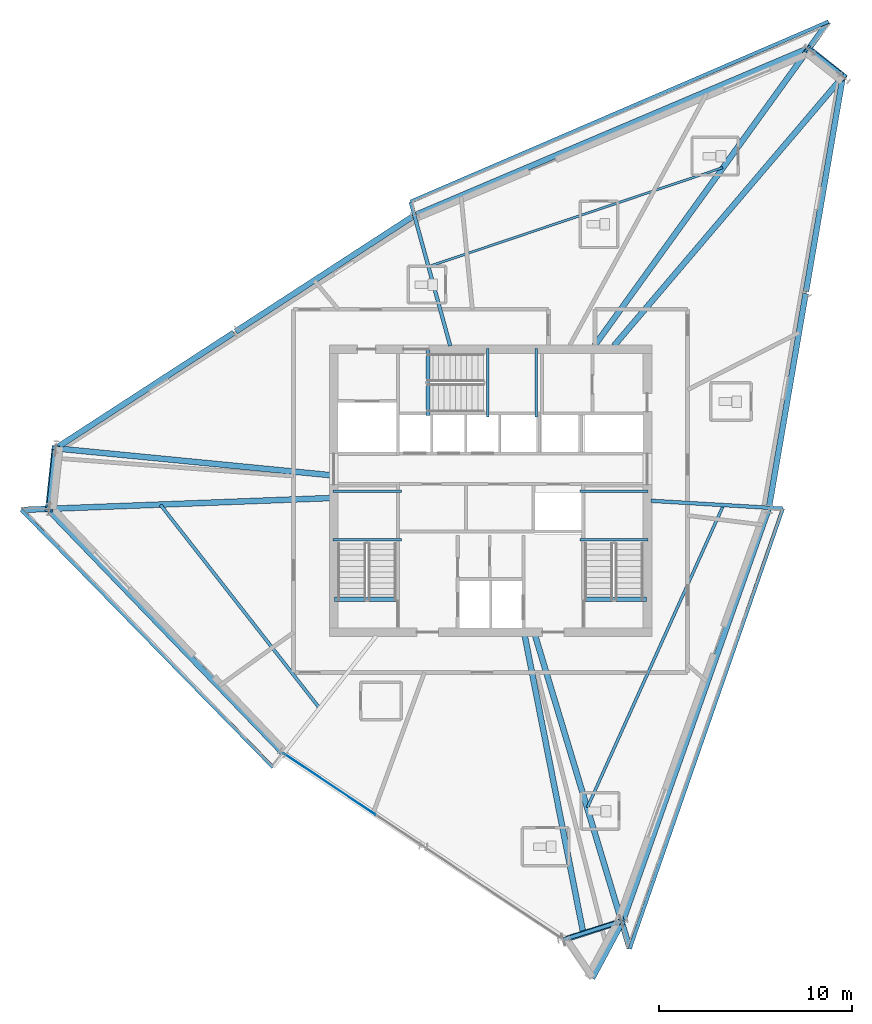
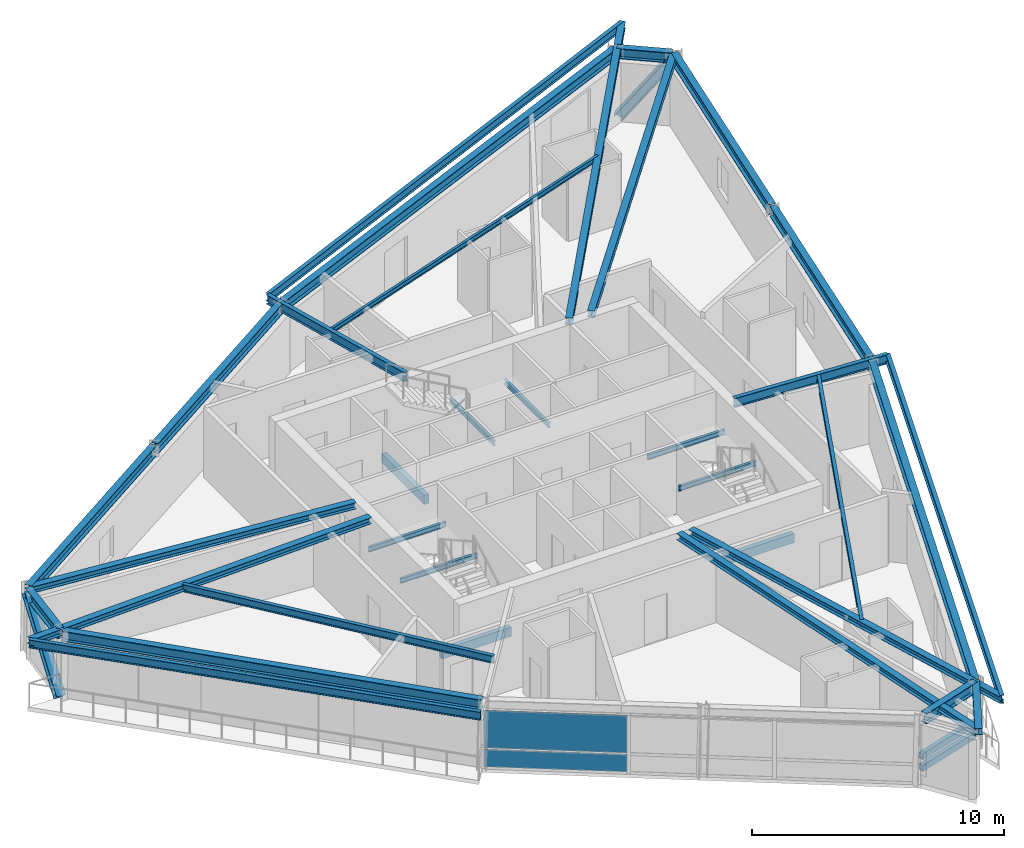
# One storey, part 4 of 15: 34 beams, 4 members, 2 plates, 1 element without a shape of its own.
"""IFC4 building model written with IfcOpenShell, lengths in metres."""

from ifc_helpers import new_model, si_unit, direction, frame, origin, origin_2d, place, context, subcontext, project, spatial, rectangle, hollow_rectangle, i_section, extrude, source, transform, mapped, material, material_profile, profile_set, type_object, element, aggregate, save


model = new_model("IFC4")

# Units and contexts
model_context = context("Model", 3, precision=1e-05, world=origin(), true_north=direction((0.0, 1.0)))
body_context = subcontext(model_context, "Body", "Model", "MODEL_VIEW")
ifc_project = project(units=[si_unit("LENGTHUNIT", "METRE"), si_unit("AREAUNIT", "SQUARE_METRE"), si_unit("VOLUMEUNIT", "CUBIC_METRE"), si_unit("PLANEANGLEUNIT", "RADIAN"), si_unit("MASSUNIT", "GRAM", prefix="KILO")], contexts=[model_context])

# Site, building, storey
site_placement = place(None, origin())
site = spatial("IfcSite", under=ifc_project, at=site_placement, CompositionType="ELEMENT")
building_placement = place(site_placement, origin())
building = spatial("IfcBuilding", under=site, at=building_placement, Name="Olszyna Solenne Hotel", CompositionType="ELEMENT")
storey_placement = place(building_placement, frame((0.0, 0.0, 245.300048828125)))
storey = spatial("IfcBuildingStorey", under=building, at=storey_placement, Name="L65", CompositionType="ELEMENT", Elevation=245.300048828125)

# Beams
ifc_material_1 = material(Name="Steel S355J2", Category="steel")
ifc_material_profile_1 = material_profile(ifc_material_1, i_section(OverallWidth=0.300048828125, OverallDepth=0.5, WebThickness=0.014404296875, FlangeThickness=0.028076171875, at=origin_2d()), Name="HEB 500", Category="load-bearing")
ifc_profile_set_1 = profile_set([ifc_material_profile_1], Name="Steel S355J2")
beam_type_1 = type_object("IfcBeamType", Name="BM-S3", PredefinedType="BEAM", material=ifc_profile_set_1)
shared_shape_1 = source(origin(), body_context, "Body", "SweptSolid", [
    extrude(i_section(OverallWidth=0.300048828125, OverallDepth=0.5, WebThickness=0.014404296875, FlangeThickness=0.028076171875, at=origin_2d()), origin(), (0.0, 0.0, 1.0), 10.94189453125),
])
for number, where, z_axis, x_axis, name in (
    (1, (33.9853515625, 40.812255859375, 3.1298828125), (-0.838696882013, -0.544598512761, 0.0), (0.544598512761, -0.838696882013, 0.0), "Perimeter spandrel beam BM-S3 B-L65-1914"),
    (2, (24.707763671875, 34.787841796875, 3.1298828125), (-0.838696882013, -0.544598512761, 0.0), (0.544598512761, -0.838696882013, 0.0), "Perimeter spandrel beam BM-S3 B-L65-1915"),
):
    element("IfcBeam", number, at=place(storey_placement, frame(where, z_axis=z_axis, x_axis=x_axis)), inside=storey, type_object=beam_type_1, Name=name, PredefinedType="BEAM", context=body_context, shape_type="MappedRepresentation", body=[
        mapped(shared_shape_1, transform((0.0, 0.0, 0.0), x_axis=(1.0, 0.0, 0.0), y_axis=(0.0, 1.0, 0.0), z_axis=(0.0, 0.0, 1.0), scale=1.0)),
    ])
shared_shape_2 = source(origin(), body_context, "Body", "SweptSolid", [
    extrude(i_section(OverallWidth=0.300048828125, OverallDepth=0.5, WebThickness=0.014404296875, FlangeThickness=0.028076171875, at=origin_2d()), origin(), (0.0, 0.0, 1.0), 3.011474609375),
])
beam_1_placement = place(storey_placement, frame((41.93212890625, 3.393310546875, 3.1298828125), z_axis=(0.951860557857, 0.306531366089, 0.0), x_axis=(-0.306531366089, 0.951860557857, 0.0)))
element("IfcBeam", 3, at=beam_1_placement, inside=storey, type_object=beam_type_1, Name="Perimeter spandrel beam BM-S3 B-L65-1920", PredefinedType="BEAM", context=body_context, shape_type="MappedRepresentation", body=[
    mapped(shared_shape_2, transform((0.0, 0.0, 0.0), x_axis=(1.0, 0.0, 0.0), y_axis=(0.0, 1.0, 0.0), z_axis=(0.0, 0.0, 1.0), scale=1.0)),
])
shared_shape_3 = source(origin(), body_context, "Body", "SweptSolid", [
    extrude(i_section(OverallWidth=0.300048828125, OverallDepth=0.5, WebThickness=0.014404296875, FlangeThickness=0.028076171875, at=origin_2d()), origin(), (0.0, 0.0, 1.0), 11.211669921875),
])
beam_2_placement = place(storey_placement, frame((54.336181640625, 36.929443359375, 3.1298828125), z_axis=(0.168934803981, 0.98562722771, 0.0), x_axis=(-0.98562722771, 0.168934803981, 0.0)))
element("IfcBeam", 4, at=beam_2_placement, inside=storey, type_object=beam_type_1, Name="Perimeter spandrel beam BM-S3 B-L65-1923", PredefinedType="BEAM", context=body_context, shape_type="MappedRepresentation", body=[
    mapped(shared_shape_3, transform((0.0, 0.0, 0.0), x_axis=(1.0, 0.0, 0.0), y_axis=(0.0, 1.0, 0.0), z_axis=(0.0, 0.0, 1.0), scale=1.0)),
])
ifc_material_profile_2 = material_profile(ifc_material_1, i_section(OverallWidth=0.300048828125, OverallDepth=0.31005859375, WebThickness=0.009033203125, FlangeThickness=0.015380859375, at=origin_2d()), Name="HEA 320", Category="load-bearing")
ifc_profile_set_2 = profile_set([ifc_material_profile_2], Name="Steel S355J2")
beam_type_2 = type_object("IfcBeamType", Name="BM-G3", PredefinedType="BEAM", material=ifc_profile_set_2)
shared_shape_4 = source(origin(), body_context, "Body", "SweptSolid", [
    extrude(i_section(OverallWidth=0.300048828125, OverallDepth=0.31005859375, WebThickness=0.009033203125, FlangeThickness=0.015380859375, at=origin_2d()), origin(), (0.0, 0.0, 1.0), 3.3818359375),
])
beam_3_placement = place(storey_placement, frame((44.855712890625, 4.3349609375, 3.224853515625), z_axis=(-0.471419868642, -0.881908899745, 0.0), x_axis=(0.881908899745, -0.471419868642, 0.0)))
element("IfcBeam", 5, at=beam_3_placement, inside=storey, type_object=beam_type_2, Name="Prism side edge beam BM-G3 B-L65-1934", PredefinedType="BEAM", context=body_context, shape_type="MappedRepresentation", body=[
    mapped(shared_shape_4, transform((0.0, 0.0, 0.0), x_axis=(1.0, 0.0, 0.0), y_axis=(0.0, 1.0, 0.0), z_axis=(0.0, 0.0, 1.0), scale=1.0)),
])
ifc_material_profile_3 = material_profile(ifc_material_1, i_section(OverallWidth=0.179931640625, OverallDepth=0.39990234375, WebThickness=0.008544921875, FlangeThickness=0.013427734375, at=origin_2d()), Name="IPE 400", Category="load-bearing")
ifc_profile_set_3 = profile_set([ifc_material_profile_3], Name="Steel S355J2")
beam_type_3 = type_object("IfcBeamType", Name="BM-F5", PredefinedType="BEAM", material=ifc_profile_set_3)
shared_shape_5 = source(origin(), body_context, "Body", "SweptSolid", [
    extrude(i_section(OverallWidth=0.179931640625, OverallDepth=0.39990234375, WebThickness=0.008544921875, FlangeThickness=0.013427734375, at=origin_2d()), origin(), (0.0, 0.0, 1.0), 24.132568359375),
])
beam_4_placement = place(storey_placement, frame((45.209716796875, 2.88427734375, 3.179931640625), z_axis=(0.328499043721, 0.944504302941, 0.0), x_axis=(-0.944504302941, 0.328499043721, 0.0)))
element("IfcBeam", 6, at=beam_4_placement, inside=storey, type_object=beam_type_3, Name="Loggia outer edge beam BM-F5 B-L65-1940", PredefinedType="BEAM", context=body_context, shape_type="MappedRepresentation", body=[
    mapped(shared_shape_5, transform((0.0, 0.0, 0.0), x_axis=(1.0, 0.0, 0.0), y_axis=(0.0, 1.0, 0.0), z_axis=(0.0, 0.0, 1.0), scale=1.0)),
])
shared_shape_6 = source(origin(), body_context, "Body", "SweptSolid", [
    extrude(i_section(OverallWidth=0.300048828125, OverallDepth=0.5, WebThickness=0.014404296875, FlangeThickness=0.028076171875, at=origin_2d()), origin(), (0.0, 0.0, 1.0), 2.225341796875),
])
beam_5_placement = place(storey_placement, frame((56.193115234375, 48.076416015625, 3.1298828125), z_axis=(-0.784823791296, 0.619718981972, 0.0), x_axis=(-0.619718981972, -0.784823791296, 0.0)))
element("IfcBeam", 7, at=beam_5_placement, inside=storey, type_object=beam_type_1, Name="Perimeter spandrel beam BM-S3 B-L65-1912", PredefinedType="BEAM", context=body_context, shape_type="MappedRepresentation", body=[
    mapped(shared_shape_6, transform((0.0, 0.0, 0.0), x_axis=(1.0, 0.0, 0.0), y_axis=(0.0, 1.0, 0.0), z_axis=(0.0, 0.0, 1.0), scale=1.0)),
])
shared_shape_7 = source(origin(), body_context, "Body", "SweptSolid", [
    extrude(i_section(OverallWidth=0.300048828125, OverallDepth=0.5, WebThickness=0.014404296875, FlangeThickness=0.028076171875, at=origin_2d()), origin(), (0.0, 0.0, 1.0), 22.00390625),
])
beam_6_placement = place(storey_placement, frame((54.34423828125, 49.46923828125, 3.1298828125), z_axis=(-0.920443313522, -0.39087607575, 0.0), x_axis=(0.39087607575, -0.920443313522, 0.0)))
element("IfcBeam", 8, at=beam_6_placement, inside=storey, type_object=beam_type_1, Name="Perimeter spandrel beam BM-S3 B-L65-1913", PredefinedType="BEAM", context=body_context, shape_type="MappedRepresentation", body=[
    mapped(shared_shape_7, transform((0.0, 0.0, 0.0), x_axis=(1.0, 0.0, 0.0), y_axis=(0.0, 1.0, 0.0), z_axis=(0.0, 0.0, 1.0), scale=1.0)),
])
shared_shape_8 = source(origin(), body_context, "Body", "SweptSolid", [
    extrude(i_section(OverallWidth=0.300048828125, OverallDepth=0.5, WebThickness=0.014404296875, FlangeThickness=0.028076171875, at=origin_2d()), origin(), (0.0, 0.0, 1.0), 3.130859375),
])
beam_7_placement = place(storey_placement, frame((15.474365234375, 28.736328125, 3.1298828125), z_axis=(-0.101920037698, -0.994792594421, 0.0), x_axis=(0.994792594421, -0.101920037698, 0.0)))
element("IfcBeam", 9, at=beam_7_placement, inside=storey, type_object=beam_type_1, Name="Perimeter spandrel beam BM-S3 B-L65-1916", PredefinedType="BEAM", context=body_context, shape_type="MappedRepresentation", body=[
    mapped(shared_shape_8, transform((0.0, 0.0, 0.0), x_axis=(1.0, 0.0, 0.0), y_axis=(0.0, 1.0, 0.0), z_axis=(0.0, 0.0, 1.0), scale=1.0)),
])
shared_shape_9 = source(origin(), body_context, "Body", "SweptSolid", [
    extrude(i_section(OverallWidth=0.300048828125, OverallDepth=0.5, WebThickness=0.014404296875, FlangeThickness=0.028076171875, at=origin_2d()), origin(), (0.0, 0.0, 1.0), 17.35400390625),
])
beam_8_placement = place(storey_placement, frame((15.19091796875, 25.518798828125, 3.1298828125), z_axis=(0.694324821848, -0.719661755109, 0.0), x_axis=(0.719661755109, 0.694324821848, 0.0)))
element("IfcBeam", 10, at=beam_8_placement, inside=storey, type_object=beam_type_1, Name="Perimeter spandrel beam BM-S3 B-L65-1917", PredefinedType="BEAM", context=body_context, shape_type="MappedRepresentation", body=[
    mapped(shared_shape_9, transform((0.0, 0.0, 0.0), x_axis=(1.0, 0.0, 0.0), y_axis=(0.0, 1.0, 0.0), z_axis=(0.0, 0.0, 1.0), scale=1.0)),
])
shared_shape_10 = source(origin(), body_context, "Body", "SweptSolid", [
    extrude(i_section(OverallWidth=0.300048828125, OverallDepth=0.5, WebThickness=0.014404296875, FlangeThickness=0.028076171875, at=origin_2d()), origin(), (0.0, 0.0, 1.0), 22.543212890625),
])
beam_9_placement = place(storey_placement, frame((44.875732421875, 4.3916015625, 3.1298828125), z_axis=(0.333408064435, 0.942782616816, 0.0), x_axis=(-0.942782616816, 0.333408064435, 0.0)))
element("IfcBeam", 11, at=beam_9_placement, inside=storey, type_object=beam_type_1, Name="Perimeter spandrel beam BM-S3 B-L65-1921", PredefinedType="BEAM", context=body_context, shape_type="MappedRepresentation", body=[
    mapped(shared_shape_10, transform((0.0, 0.0, 0.0), x_axis=(1.0, 0.0, 0.0), y_axis=(0.0, 1.0, 0.0), z_axis=(0.0, 0.0, 1.0), scale=1.0)),
])
shared_shape_11 = source(origin(), body_context, "Body", "SweptSolid", [
    extrude(i_section(OverallWidth=0.300048828125, OverallDepth=0.5, WebThickness=0.014404296875, FlangeThickness=0.028076171875, at=origin_2d()), origin(), (0.0, 0.0, 1.0), 11.2119140625),
])
beam_10_placement = place(storey_placement, frame((52.421875, 25.760498046875, 3.1298828125), z_axis=(0.16893117828, 0.985627849142, 0.0), x_axis=(-0.985627849142, 0.16893117828, 0.0)))
element("IfcBeam", 12, at=beam_10_placement, inside=storey, type_object=beam_type_1, Name="Perimeter spandrel beam BM-S3 B-L65-1922", PredefinedType="BEAM", context=body_context, shape_type="MappedRepresentation", body=[
    mapped(shared_shape_11, transform((0.0, 0.0, 0.0), x_axis=(1.0, 0.0, 0.0), y_axis=(0.0, 1.0, 0.0), z_axis=(0.0, 0.0, 1.0), scale=1.0)),
])
shared_shape_12 = source(origin(), body_context, "Body", "SweptSolid", [
    extrude(i_section(OverallWidth=0.300048828125, OverallDepth=0.31005859375, WebThickness=0.009033203125, FlangeThickness=0.015380859375, at=origin_2d()), origin(), (0.0, 0.0, 1.0), 18.225830078125),
])
beam_11_placement = place(storey_placement, frame((56.201416015625, 47.993408203125, 3.224853515625), z_axis=(-0.647997135254, -0.76164277237, 0.0), x_axis=(0.76164277237, -0.647997135254, 0.0)))
element("IfcBeam", 13, at=beam_11_placement, inside=storey, type_object=beam_type_2, Name="Radial floor girder BM-G3 B-L65-1924", PredefinedType="BEAM", context=body_context, shape_type="MappedRepresentation", body=[
    mapped(shared_shape_12, transform((0.0, 0.0, 0.0), x_axis=(1.0, 0.0, 0.0), y_axis=(0.0, 1.0, 0.0), z_axis=(0.0, 0.0, 1.0), scale=1.0)),
])
shared_shape_13 = source(origin(), body_context, "Body", "SweptSolid", [
    extrude(i_section(OverallWidth=0.300048828125, OverallDepth=0.31005859375, WebThickness=0.009033203125, FlangeThickness=0.015380859375, at=origin_2d()), origin(), (0.0, 0.0, 1.0), 20.682861328125),
])
beam_12_placement = place(storey_placement, frame((55.48486328125, 50.87939453125, 3.224853515625), z_axis=(-0.58529314749, -0.810821763091, 0.0), x_axis=(0.810821763091, -0.58529314749, 0.0)))
element("IfcBeam", 14, at=beam_12_placement, inside=storey, type_object=beam_type_2, Name="Radial floor girder BM-G3 B-L65-1925", PredefinedType="BEAM", context=body_context, shape_type="MappedRepresentation", body=[
    mapped(shared_shape_13, transform((0.0, 0.0, 0.0), x_axis=(1.0, 0.0, 0.0), y_axis=(0.0, 1.0, 0.0), z_axis=(0.0, 0.0, 1.0), scale=1.0)),
])
ifc_material_profile_4 = material_profile(ifc_material_1, i_section(OverallWidth=0.18994140625, OverallDepth=0.449951171875, WebThickness=0.009521484375, FlangeThickness=0.0146484375, at=origin_2d()), Name="IPE 450", Category="load-bearing")
ifc_profile_set_4 = profile_set([ifc_material_profile_4], Name="Steel S355J2")
beam_type_4 = type_object("IfcBeamType", Name="BM-F4", PredefinedType="BEAM", material=ifc_profile_set_4)
shared_shape_14 = source(origin(), body_context, "Body", "SweptSolid", [
    extrude(i_section(OverallWidth=0.18994140625, OverallDepth=0.449951171875, WebThickness=0.009521484375, FlangeThickness=0.0146484375, at=origin_2d()), origin(), (0.0, 0.0, 1.0), 7.725341796875),
])
beam_13_placement = place(storey_placement, frame((33.864013671875, 41.55078125, 3.155029296875), z_axis=(0.265111677617, -0.96421771317, 0.0), x_axis=(0.96421771317, 0.265111677617, 0.0)))
element("IfcBeam", 15, at=beam_13_placement, inside=storey, type_object=beam_type_4, Name="Radial floor girder BM-F4 B-L65-1926", PredefinedType="BEAM", context=body_context, shape_type="MappedRepresentation", body=[
    mapped(shared_shape_14, transform((0.0, 0.0, 0.0), x_axis=(1.0, 0.0, 0.0), y_axis=(0.0, 1.0, 0.0), z_axis=(0.0, 0.0, 1.0), scale=1.0)),
])
shared_shape_15 = source(origin(), body_context, "Body", "SweptSolid", [
    extrude(i_section(OverallWidth=0.300048828125, OverallDepth=0.31005859375, WebThickness=0.009033203125, FlangeThickness=0.015380859375, at=origin_2d()), origin(), (0.0, 0.0, 1.0), 14.226806640625),
])
beam_14_placement = place(storey_placement, frame((15.5400390625, 28.790283203125, 3.224853515625), z_axis=(0.995278516251, -0.097060162211, 0.0), x_axis=(0.097060162211, 0.995278516251, 0.0)))
element("IfcBeam", 16, at=beam_14_placement, inside=storey, type_object=beam_type_2, Name="Radial floor girder BM-G3 B-L65-1927", PredefinedType="BEAM", context=body_context, shape_type="MappedRepresentation", body=[
    mapped(shared_shape_15, transform((0.0, 0.0, 0.0), x_axis=(1.0, 0.0, 0.0), y_axis=(0.0, 1.0, 0.0), z_axis=(0.0, 0.0, 1.0), scale=1.0)),
])
shared_shape_16 = source(origin(), body_context, "Body", "SweptSolid", [
    extrude(i_section(OverallWidth=0.300048828125, OverallDepth=0.31005859375, WebThickness=0.009033203125, FlangeThickness=0.015380859375, at=origin_2d()), origin(), (0.0, 0.0, 1.0), 15.99365234375),
])
beam_15_placement = place(storey_placement, frame((13.718017578125, 25.610595703125, 3.224853515625), z_axis=(0.99926689067, 0.038284216214, 0.0), x_axis=(-0.038284216214, 0.99926689067, 0.0)))
element("IfcBeam", 17, at=beam_15_placement, inside=storey, type_object=beam_type_2, Name="Radial floor girder BM-G3 B-L65-1928", PredefinedType="BEAM", context=body_context, shape_type="MappedRepresentation", body=[
    mapped(shared_shape_16, transform((0.0, 0.0, 0.0), x_axis=(1.0, 0.0, 0.0), y_axis=(0.0, 1.0, 0.0), z_axis=(0.0, 0.0, 1.0), scale=1.0)),
])
shared_shape_17 = source(origin(), body_context, "Body", "SweptSolid", [
    extrude(i_section(OverallWidth=0.300048828125, OverallDepth=0.31005859375, WebThickness=0.009033203125, FlangeThickness=0.015380859375, at=origin_2d()), origin(), (0.0, 0.0, 1.0), 18.066162109375),
])
beam_16_placement = place(storey_placement, frame((43.257568359375, 1.372314453125, 3.224853515625), z_axis=(-0.193069421797, 0.981185098932, 0.0), x_axis=(-0.981185098932, -0.193069421797, 0.0)))
element("IfcBeam", 18, at=beam_16_placement, inside=storey, type_object=beam_type_2, Name="Radial floor girder BM-G3 B-L65-1930", PredefinedType="BEAM", context=body_context, shape_type="MappedRepresentation", body=[
    mapped(shared_shape_17, transform((0.0, 0.0, 0.0), x_axis=(1.0, 0.0, 0.0), y_axis=(0.0, 1.0, 0.0), z_axis=(0.0, 0.0, 1.0), scale=1.0)),
])
shared_shape_18 = source(origin(), body_context, "Body", "SweptSolid", [
    extrude(i_section(OverallWidth=0.300048828125, OverallDepth=0.31005859375, WebThickness=0.009033203125, FlangeThickness=0.015380859375, at=origin_2d()), origin(), (0.0, 0.0, 1.0), 16.91796875),
])
beam_17_placement = place(storey_placement, frame((45.203857421875, 2.9033203125, 3.224853515625), z_axis=(-0.289268344789, 0.957248047636, 0.0), x_axis=(-0.957248047636, -0.289268344789, 0.0)))
element("IfcBeam", 19, at=beam_17_placement, inside=storey, type_object=beam_type_2, Name="Radial floor girder BM-G3 B-L65-1931", PredefinedType="BEAM", context=body_context, shape_type="MappedRepresentation", body=[
    mapped(shared_shape_18, transform((0.0, 0.0, 0.0), x_axis=(1.0, 0.0, 0.0), y_axis=(0.0, 1.0, 0.0), z_axis=(0.0, 0.0, 1.0), scale=1.0)),
])
shared_shape_19 = source(origin(), body_context, "Body", "SweptSolid", [
    extrude(i_section(OverallWidth=0.18994140625, OverallDepth=0.449951171875, WebThickness=0.009521484375, FlangeThickness=0.0146484375, at=origin_2d()), origin(), (0.0, 0.0, 1.0), 6.8291015625),
])
beam_18_placement = place(storey_placement, frame((53.1171875, 25.6787109375, 3.155029296875), z_axis=(-0.998250250663, 0.059130677742, 0.0), x_axis=(-0.059130677742, -0.998250250663, 0.0)))
element("IfcBeam", 20, at=beam_18_placement, inside=storey, type_object=beam_type_4, Name="Radial floor girder BM-F4 B-L65-1932", PredefinedType="BEAM", context=body_context, shape_type="MappedRepresentation", body=[
    mapped(shared_shape_19, transform((0.0, 0.0, 0.0), x_axis=(1.0, 0.0, 0.0), y_axis=(0.0, 1.0, 0.0), z_axis=(0.0, 0.0, 1.0), scale=1.0)),
])
ifc_material_profile_5 = material_profile(ifc_material_1, i_section(OverallWidth=0.1201171875, OverallDepth=0.239990234375, WebThickness=0.006103515625, FlangeThickness=0.009765625, at=origin_2d()), Name="IPE 240", Category="load-bearing")
ifc_profile_set_5 = profile_set([ifc_material_profile_5], Name="Steel S355J2")
beam_type_5 = type_object("IfcBeamType", Name="JS-03", PredefinedType="JOIST", material=ifc_profile_set_5)
shared_shape_20 = source(origin(), body_context, "Body", "SweptSolid", [
    extrude(i_section(OverallWidth=0.1201171875, OverallDepth=0.239990234375, WebThickness=0.006103515625, FlangeThickness=0.009765625, at=origin_2d()), origin(), (0.0, 0.0, 1.0), 16.06103515625),
])
beam_19_placement = place(storey_placement, frame((50.02490234375, 43.33544921875, 3.260009765625), z_axis=(-0.94783474168, -0.31876214089, 0.0), x_axis=(0.31876214089, -0.94783474168, 0.0)))
element("IfcBeam", 21, at=beam_19_placement, inside=storey, type_object=beam_type_5, Name="Secondary composite floor joist JS-03 B-L65-1935", PredefinedType="JOIST", context=body_context, shape_type="MappedRepresentation", body=[
    mapped(shared_shape_20, transform((0.0, 0.0, 0.0), x_axis=(1.0, 0.0, 0.0), y_axis=(0.0, 1.0, 0.0), z_axis=(0.0, 0.0, 1.0), scale=1.0)),
])
ifc_material_profile_6 = material_profile(ifc_material_1, i_section(OverallWidth=0.169921875, OverallDepth=0.360107421875, WebThickness=0.008056640625, FlangeThickness=0.0126953125, at=origin_2d()), Name="IPE 360", Category="load-bearing")
ifc_profile_set_6 = profile_set([ifc_material_profile_6], Name="Steel S355J2")
beam_type_6 = type_object("IfcBeamType", Name="JS-01", PredefinedType="JOIST", material=ifc_profile_set_6)
shared_shape_21 = source(origin(), body_context, "Body", "SweptSolid", [
    extrude(i_section(OverallWidth=0.169921875, OverallDepth=0.360107421875, WebThickness=0.008056640625, FlangeThickness=0.0126953125, at=origin_2d()), origin(), (0.0, 0.0, 1.0), 13.339599609375),
])
beam_20_placement = place(storey_placement, frame((20.9111328125, 25.869873046875, 3.199951171875), z_axis=(0.616113809751, -0.787657142058, 0.0), x_axis=(0.787657142058, 0.616113809751, 0.0)))
element("IfcBeam", 22, at=beam_20_placement, inside=storey, type_object=beam_type_6, Name="Secondary composite floor joist JS-01 B-L65-1936", PredefinedType="JOIST", context=body_context, shape_type="MappedRepresentation", body=[
    mapped(shared_shape_21, transform((0.0, 0.0, 0.0), x_axis=(1.0, 0.0, 0.0), y_axis=(0.0, 1.0, 0.0), z_axis=(0.0, 0.0, 1.0), scale=1.0)),
])
ifc_material_profile_7 = material_profile(ifc_material_1, i_section(OverallWidth=0.14990234375, OverallDepth=0.300048828125, WebThickness=0.007080078125, FlangeThickness=0.0107421875, at=origin_2d()), Name="IPE 300", Category="load-bearing")
ifc_profile_set_7 = profile_set([ifc_material_profile_7], Name="Steel S355J2")
beam_type_7 = type_object("IfcBeamType", Name="JS-02", PredefinedType="JOIST", material=ifc_profile_set_7)
shared_shape_22 = source(origin(), body_context, "Body", "SweptSolid", [
    extrude(i_section(OverallWidth=0.14990234375, OverallDepth=0.300048828125, WebThickness=0.007080078125, FlangeThickness=0.0107421875, at=origin_2d()), origin(), (0.0, 0.0, 1.0), 17.154052734375),
])
beam_21_placement = place(storey_placement, frame((43.01318359375, 10.198486328125, 3.22998046875), z_axis=(0.410361126637, 0.911923102978, 0.0), x_axis=(-0.911923102978, 0.410361126637, 0.0)))
element("IfcBeam", 23, at=beam_21_placement, inside=storey, type_object=beam_type_7, Name="Secondary composite floor joist JS-02 B-L65-1937", PredefinedType="JOIST", context=body_context, shape_type="MappedRepresentation", body=[
    mapped(shared_shape_22, transform((0.0, 0.0, 0.0), x_axis=(1.0, 0.0, 0.0), y_axis=(0.0, 1.0, 0.0), z_axis=(0.0, 0.0, 1.0), scale=1.0)),
])
shared_shape_23 = source(origin(), body_context, "Body", "SweptSolid", [
    extrude(i_section(OverallWidth=0.179931640625, OverallDepth=0.39990234375, WebThickness=0.008544921875, FlangeThickness=0.013427734375, at=origin_2d()), origin(), (0.0, 0.0, 1.0), 23.56201171875),
])
beam_22_placement = place(storey_placement, frame((55.49658203125, 50.895751953125, 3.179931640625), z_axis=(-0.918343502009, -0.395784300243, 0.0), x_axis=(0.395784300243, -0.918343502009, 0.0)))
element("IfcBeam", 24, at=beam_22_placement, inside=storey, type_object=beam_type_3, Name="Loggia outer edge beam BM-F5 B-L65-1938", PredefinedType="BEAM", context=body_context, shape_type="MappedRepresentation", body=[
    mapped(shared_shape_23, transform((0.0, 0.0, 0.0), x_axis=(1.0, 0.0, 0.0), y_axis=(0.0, 1.0, 0.0), z_axis=(0.0, 0.0, 1.0), scale=1.0)),
])
shared_shape_24 = source(origin(), body_context, "Body", "SweptSolid", [
    extrude(i_section(OverallWidth=0.179931640625, OverallDepth=0.39990234375, WebThickness=0.008544921875, FlangeThickness=0.013427734375, at=origin_2d()), origin(), (0.0, 0.0, 1.0), 18.640380859375),
])
beam_23_placement = place(storey_placement, frame((13.697998046875, 25.60986328125, 3.179931640625), z_axis=(0.699310595847, -0.714817942231, 0.0), x_axis=(0.714817942231, 0.699310595847, 0.0)))
element("IfcBeam", 25, at=beam_23_placement, inside=storey, type_object=beam_type_3, Name="Loggia outer edge beam BM-F5 B-L65-1939", PredefinedType="BEAM", context=body_context, shape_type="MappedRepresentation", body=[
    mapped(shared_shape_24, transform((0.0, 0.0, 0.0), x_axis=(1.0, 0.0, 0.0), y_axis=(0.0, 1.0, 0.0), z_axis=(0.0, 0.0, 1.0), scale=1.0)),
])

# Members
ifc_material_profile_8 = material_profile(ifc_material_1, hollow_rectangle(XDim=0.199951171875, YDim=0.300048828125, WallThickness=0.01611328125, at=origin_2d()), Name="RHS 300x200x16", Category="load-bearing")
ifc_profile_set_8 = profile_set([ifc_material_profile_8], Name="Steel S355J2")
member_type_1 = type_object("IfcMemberType", Name="CH-PR1", PredefinedType="CHORD", material=ifc_profile_set_8)
shared_shape_25 = source(origin(), body_context, "Body", "SweptSolid", [
    extrude(hollow_rectangle(XDim=0.199951171875, YDim=0.300048828125, WallThickness=0.01611328125, at=origin_2d()), origin(), (0.0, 0.0, 1.0), 3.13134765625),
])
for number, where, z_axis, x_axis, name in (
    (26, (41.773681640625, 3.3583984375, 1.349853515625), (0.953197760412, 0.302347531071, 0.0), (-0.302347531071, 0.953197760412, 0.0), "Glass-prism tie chord CH-PR1 M-L65-PR1"),
    (27, (41.773681640625, 3.3583984375, 0.780029296875), (0.953197760412, 0.302347531071, 0.0), (-0.302347531071, 0.953197760412, 0.0), "Glass-prism tie chord CH-PR1 M-L65-PR2"),
):
    element("IfcMember", number, at=place(storey_placement, frame(where, z_axis=z_axis, x_axis=x_axis)), inside=storey, type_object=member_type_1, Name=name, PredefinedType="CHORD", context=body_context, shape_type="MappedRepresentation", body=[
        mapped(shared_shape_25, transform((0.0, 0.0, 0.0), x_axis=(1.0, 0.0, 0.0), y_axis=(0.0, 1.0, 0.0), z_axis=(0.0, 0.0, 1.0), scale=1.0)),
    ])
ifc_material_2 = material(Name="Steel S460M", Category="steel")
ifc_material_profile_9 = material_profile(ifc_material_2, i_section(OverallWidth=0.40087890625, OverallDepth=0.39892578125, WebThickness=0.02197265625, FlangeThickness=0.034423828125, at=origin_2d()), Name="HD 400x314", Category="load-bearing")
ifc_profile_set_9 = profile_set([ifc_material_profile_9], Name="Steel S460M")
member_type_2 = type_object("IfcMemberType", Name="BR-T3", PredefinedType="BRACE", material=ifc_profile_set_9)
shared_shape_26 = source(origin(), body_context, "Body", "SweptSolid", [
    extrude(i_section(OverallWidth=0.40087890625, OverallDepth=0.39892578125, WebThickness=0.02197265625, FlangeThickness=0.034423828125, at=origin_2d()), origin(), (0.0, 0.0, 1.0), 3.810546875),
])
member_1_placement = place(storey_placement, frame((54.4990234375, 49.421142578125, 0.010009765625), z_axis=(0.456936706416, -0.362691909004, 0.812196666746), x_axis=(0.62170384837, 0.783252401798, 0.0)))
element("IfcMember", 28, at=member_1_placement, inside=storey, type_object=member_type_2, Name="Perimeter braced-tube diagonal BR-T3 BR-L65-1", PredefinedType="BRACE", context=body_context, shape_type="MappedRepresentation", body=[
    mapped(shared_shape_26, transform((0.0, 0.0, 0.0), x_axis=(1.0, 0.0, 0.0), y_axis=(0.0, 1.0, 0.0), z_axis=(0.0, 0.0, 1.0), scale=1.0)),
])
shared_shape_27 = source(origin(), body_context, "Body", "SweptSolid", [
    extrude(i_section(OverallWidth=0.40087890625, OverallDepth=0.39892578125, WebThickness=0.02197265625, FlangeThickness=0.034423828125, at=origin_2d()), origin(), (0.0, 0.0, 1.0), 4.417724609375),
])
member_2_placement = place(storey_placement, frame((15.144775390625, 25.661865234375, 0.010009765625), z_axis=(0.075989910623, 0.70949707097, 0.700599343254), x_axis=(-0.994313255242, 0.106494837666, 0.0)))
element("IfcMember", 29, at=member_2_placement, inside=storey, type_object=member_type_2, Name="Perimeter braced-tube diagonal BR-T3 BR-L65-2", PredefinedType="BRACE", context=body_context, shape_type="MappedRepresentation", body=[
    mapped(shared_shape_27, transform((0.0, 0.0, 0.0), x_axis=(1.0, 0.0, 0.0), y_axis=(0.0, 1.0, 0.0), z_axis=(0.0, 0.0, 1.0), scale=1.0)),
])

# Beams
shared_shape_28 = source(origin(), body_context, "Body", "SweptSolid", [
    extrude(i_section(OverallWidth=0.1201171875, OverallDepth=0.239990234375, WebThickness=0.006103515625, FlangeThickness=0.009765625, at=origin_2d()), origin(), (0.0, 0.0, 1.0), 3.539794921875),
])
for number, where, z_axis, x_axis, name in (
    (30, (33.3798828125, 24.070068359375, 1.474853515625), (-1.0, 0.0, 0.0), (0.0, -1.0, 0.0), "Stair landing support beam JS-03 SLB-ST1-0135"),
    (31, (33.3798828125, 26.580078125, 1.474853515625), (-1.0, 0.0, 0.0), (0.0, -1.0, 0.0), "Stair landing support beam JS-03 SLB-ST1-0136"),
    (32, (46.159912109375, 24.070068359375, 1.474853515625), (-1.0, 0.0, 0.0), (0.0, -1.0, 0.0), "Stair landing support beam JS-03 SLB-ST2-0375"),
    (33, (46.159912109375, 26.580078125, 1.474853515625), (-1.0, 0.0, 0.0), (0.0, -1.0, 0.0), "Stair landing support beam JS-03 SLB-ST2-0376"),
):
    element("IfcBeam", number, at=place(storey_placement, frame(where, z_axis=z_axis, x_axis=x_axis)), inside=storey, type_object=beam_type_5, Name=name, PredefinedType="JOIST", context=body_context, shape_type="MappedRepresentation", body=[
        mapped(shared_shape_28, transform((0.0, 0.0, 0.0), x_axis=(1.0, 0.0, 0.0), y_axis=(0.0, 1.0, 0.0), z_axis=(0.0, 0.0, 1.0), scale=1.0)),
    ])
ifc_material_3 = material(Name="Concrete C50/60", Category="concrete")
ifc_material_profile_10 = material_profile(ifc_material_3, rectangle(XDim=0.219970703125, YDim=0.43994140625, at=origin_2d()), Name="RC 220x440", Category="load-bearing")
ifc_profile_set_10 = profile_set([ifc_material_profile_10], Name="Concrete C50/60")
beam_type_8 = type_object("IfcBeamType", Name="BM-ST1", PredefinedType="BEAM", material=ifc_profile_set_10)
shared_shape_29 = source(origin(), body_context, "Body", "SweptSolid", [
    extrude(rectangle(XDim=0.219970703125, YDim=0.43994140625, at=origin_2d()), origin(), (0.0, 0.0, 1.0), 3.18017578125),
])
for number, where, z_axis, x_axis, name in (
    (34, (33.10009765625, 20.97998046875, -0.205078125), (-1.0, 0.0, 0.0), (0.0, -1.0, 0.0), "Concrete stair trimmer beam BM-ST1 SHB-ST1-0227"),
    (35, (46.080078125, 20.97998046875, -0.205078125), (-1.0, 0.0, 0.0), (0.0, -1.0, 0.0), "Concrete stair trimmer beam BM-ST1 SHB-ST2-0467"),
):
    element("IfcBeam", number, at=place(storey_placement, frame(where, z_axis=z_axis, x_axis=x_axis)), inside=storey, type_object=beam_type_8, Name=name, PredefinedType="BEAM", context=body_context, shape_type="MappedRepresentation", body=[
        mapped(shared_shape_29, transform((0.0, 0.0, 0.0), x_axis=(1.0, 0.0, 0.0), y_axis=(0.0, 1.0, 0.0), z_axis=(0.0, 0.0, 1.0), scale=1.0)),
    ])
shared_shape_30 = source(origin(), body_context, "Body", "SweptSolid", [
    extrude(i_section(OverallWidth=0.1201171875, OverallDepth=0.239990234375, WebThickness=0.006103515625, FlangeThickness=0.009765625, at=origin_2d()), origin(), (0.0, 0.0, 1.0), 3.5400390625),
])
for number, where, z_axis, x_axis, name in (
    (36, (37.85009765625, 30.419921875, 1.474853515625), (0.0, 1.0, 0.0), (-1.0, 0.0, 0.0), "Stair landing support beam JS-03 SLB-ST3-0615"),
    (37, (40.360107421875, 30.419921875, 1.474853515625), (0.0, 1.0, 0.0), (-1.0, 0.0, 0.0), "Stair landing support beam JS-03 SLB-ST3-0616"),
):
    element("IfcBeam", number, at=place(storey_placement, frame(where, z_axis=z_axis, x_axis=x_axis)), inside=storey, type_object=beam_type_5, Name=name, PredefinedType="JOIST", context=body_context, shape_type="MappedRepresentation", body=[
        mapped(shared_shape_30, transform((0.0, 0.0, 0.0), x_axis=(1.0, 0.0, 0.0), y_axis=(0.0, 1.0, 0.0), z_axis=(0.0, 0.0, 1.0), scale=1.0)),
    ])
shared_shape_31 = source(origin(), body_context, "Body", "SweptSolid", [
    extrude(rectangle(XDim=0.219970703125, YDim=0.43994140625, at=origin_2d()), origin(), (0.0, 0.0, 1.0), 3.3798828125),
])
beam_24_placement = place(storey_placement, frame((34.760009765625, 30.5, -0.205078125), z_axis=(0.0, 1.0, 0.0), x_axis=(-1.0, 0.0, 0.0)))
element("IfcBeam", 38, at=beam_24_placement, inside=storey, type_object=beam_type_8, Name="Concrete stair trimmer beam BM-ST1 SHB-ST3-0705", PredefinedType="BEAM", context=body_context, shape_type="MappedRepresentation", body=[
    mapped(shared_shape_31, transform((0.0, 0.0, 0.0), x_axis=(1.0, 0.0, 0.0), y_axis=(0.0, 1.0, 0.0), z_axis=(0.0, 0.0, 1.0), scale=1.0)),
])

# Curtain wall, plates
ifc_material_4 = material(Name="Anodised bronze aluminium", Category="aluminium")
curtain_wall_type = type_object("IfcCurtainWallType", Name="CW-SYS-4", PredefinedType="NOTDEFINED", material=ifc_material_4)
curtain_wall_placement = place(storey_placement, origin())
curtain_wall = element("IfcCurtainWall", 39, at=curtain_wall_placement, inside=storey, type_object=curtain_wall_type, Name="Unitised curtain wall CW-SYS-4 CW-L65-01", PredefinedType="NOTDEFINED")
ifc_material_5 = material(Name="Terracotta cladding", Category="masonry")
plate_type_1 = type_object("IfcPlateType", Name="PN-SP1", PredefinedType="CURTAIN_PANEL", material=ifc_material_5)
shared_shape_32 = source(origin(), body_context, "Body", "SweptSolid", [
    extrude(rectangle(XDim=5.727294921875, YDim=0.035888671875, at=origin_2d()), origin(), (0.0, 0.0, 1.0), 0.8525390625),
])
plate_1_placement = place(storey_placement, frame((29.661376953125, 11.412109375, 0.06494140625), z_axis=(0.0, 0.0, 1.0), x_axis=(0.832719691229, -0.553694785816, 0.0)))
plate_1 = element("IfcPlate", 40, at=plate_1_placement, type_object=plate_type_1, Name="Curtain-wall panel PN-SP1 CP-L65-01-01", PredefinedType="CURTAIN_PANEL", context=body_context, shape_type="MappedRepresentation", body=[
    mapped(shared_shape_32, transform((0.0, 0.0, 0.0), x_axis=(1.0, 0.0, 0.0), y_axis=(0.0, 1.0, 0.0), z_axis=(0.0, 0.0, 1.0), scale=1.0)),
])
ifc_material_6 = material(Name="Low-E triple glazing", Category="glass")
plate_type_2 = type_object("IfcPlateType", Name="PN-GL1", PredefinedType="CURTAIN_PANEL", material=ifc_material_6)
shared_shape_33 = source(origin(), body_context, "Body", "SweptSolid", [
    extrude(rectangle(XDim=5.727294921875, YDim=0.035888671875, at=origin_2d()), origin(), (0.0, 0.0, 1.0), 1.824462890625),
])
plate_2_placement = place(storey_placement, frame((29.661376953125, 11.412109375, 0.982421875), z_axis=(0.0, 0.0, 1.0), x_axis=(0.832719691229, -0.553694785816, 0.0)))
plate_2 = element("IfcPlate", 41, at=plate_2_placement, type_object=plate_type_2, Name="Curtain-wall panel PN-GL1 CP-L65-01-02", PredefinedType="CURTAIN_PANEL", context=body_context, shape_type="MappedRepresentation", body=[
    mapped(shared_shape_33, transform((0.0, 0.0, 0.0), x_axis=(1.0, 0.0, 0.0), y_axis=(0.0, 1.0, 0.0), z_axis=(0.0, 0.0, 1.0), scale=1.0)),
])
aggregate(curtain_wall, [plate_1, plate_2])

save(model, "model.ifc")
